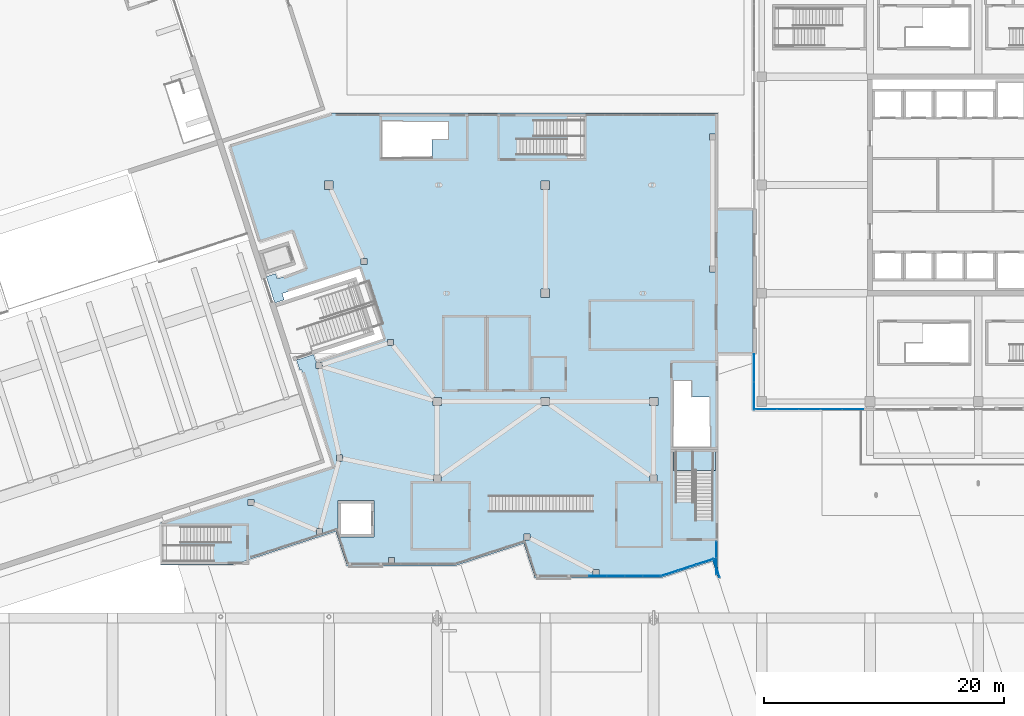
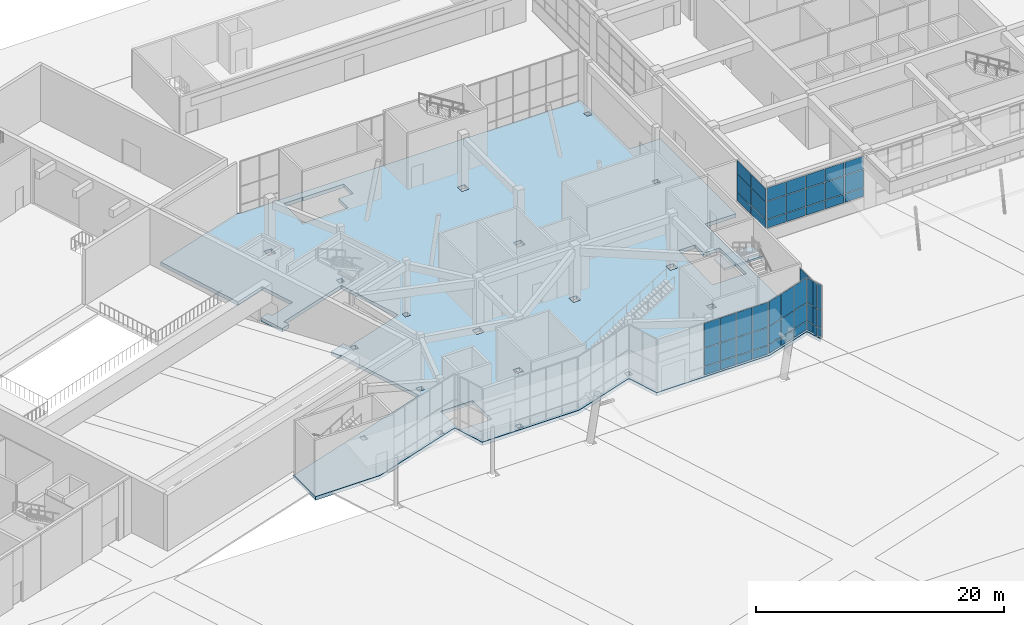
# One storey, part 45 of 72: 51 plates, 2 slabs, 7 elements without a shape of their own.
"""IFC4 building model written with IfcOpenShell, lengths in metres."""

from ifc_helpers import new_model, si_unit, direction, frame, origin, origin_2d, place, context, subcontext, project, spatial, polyline, rectangle, outline, extrude, material, layer, layer_set, type_object, element, aggregate, save


model = new_model("IFC4")

# Units and contexts
model_context = context("Model", 3, precision=1e-05, world=origin(), true_north=direction((0.0, 1.0)))
body_context = subcontext(model_context, "Body", "Model", "MODEL_VIEW")
ifc_project = project(units=[si_unit("LENGTHUNIT", "METRE"), si_unit("AREAUNIT", "SQUARE_METRE"), si_unit("VOLUMEUNIT", "CUBIC_METRE"), si_unit("PLANEANGLEUNIT", "RADIAN"), si_unit("MASSUNIT", "GRAM", prefix="KILO")], contexts=[model_context])

# Site, building, storey
site_placement = place(None, origin())
site = spatial("IfcSite", under=ifc_project, at=site_placement, CompositionType="ELEMENT")
building_placement = place(site_placement, origin())
building = spatial("IfcBuilding", under=site, at=building_placement, Name="Tuart Plaza Theatre", CompositionType="ELEMENT")
storey_placement = place(building_placement, origin())
storey = spatial("IfcBuildingStorey", under=building, at=storey_placement, Name="L00", CompositionType="ELEMENT", Elevation=0.0)

# Curtain wall, plates
ifc_material_1 = material(Name="Aluminium and glass", Category="aluminium")
ifc_layer_1 = layer(ifc_material_1, 0.10009765625)
ifc_layer_set_1 = layer_set([ifc_layer_1], Name="CURTAIN WALL 1500 module")
curtain_wall_type_1 = type_object("IfcCurtainWallType", Name="CURTAIN WALL 1500 module", PredefinedType="NOTDEFINED", material=ifc_layer_set_1)
curtain_wall_1_placement = place(storey_placement, origin())
curtain_wall_1 = element("IfcCurtainWall", 1, at=curtain_wall_1_placement, inside=storey, type_object=curtain_wall_type_1, Name="CW6", PredefinedType="NOTDEFINED")
ifc_material_2 = material(Name="Glass", Category="glass")
ifc_layer_2 = layer(ifc_material_2, 0.028076171875)
ifc_layer_set_2 = layer_set([ifc_layer_2], Name="CURTAIN PANEL double glazed 28")
plate_type = type_object("IfcPlateType", Name="CURTAIN PANEL double glazed 28", PredefinedType="CURTAIN_PANEL", material=ifc_layer_set_2)
plate_1_placement = place(storey_placement, frame((100.36279296875, 41.47900390625, 0.0498046875), z_axis=(0.0, 0.0, 1.0), x_axis=(1.0, 0.0, 0.0)))
plate_1 = element("IfcPlate", 2, at=plate_1_placement, type_object=plate_type, Name="CW6 panel 2.1", PredefinedType="CURTAIN_PANEL", context=body_context, shape_type="SweptSolid", body=[
    extrude(rectangle(XDim=1.4453125, YDim=0.028076171875, at=origin_2d()), origin(), (0.0, 0.0, 1.0), 0.824951171875),
])
plate_2_placement = place(storey_placement, frame((100.36279296875, 41.47900390625, 0.925048828125), z_axis=(0.0, 0.0, 1.0), x_axis=(1.0, 0.0, 0.0)))
plate_2 = element("IfcPlate", 3, at=plate_2_placement, type_object=plate_type, Name="CW6 panel 2.2", PredefinedType="CURTAIN_PANEL", context=body_context, shape_type="SweptSolid", body=[
    extrude(rectangle(XDim=1.4453125, YDim=0.028076171875, at=origin_2d()), origin(), (0.0, 0.0, 1.0), 1.75),
])
plate_3_placement = place(storey_placement, frame((100.36279296875, 41.47900390625, 2.72509765625), z_axis=(0.0, 0.0, 1.0), x_axis=(1.0, 0.0, 0.0)))
plate_3 = element("IfcPlate", 4, at=plate_3_placement, type_object=plate_type, Name="CW6 panel 2.3", PredefinedType="CURTAIN_PANEL", context=body_context, shape_type="SweptSolid", body=[
    extrude(rectangle(XDim=1.4453125, YDim=0.028076171875, at=origin_2d()), origin(), (0.0, 0.0, 1.0), 2.425048828125),
])
plate_4_placement = place(storey_placement, frame((101.858154296875, 41.47900390625, 0.0498046875), z_axis=(0.0, 0.0, 1.0), x_axis=(1.0, 0.0, 0.0)))
plate_4 = element("IfcPlate", 5, at=plate_4_placement, type_object=plate_type, Name="CW6 panel 3.1", PredefinedType="CURTAIN_PANEL", context=body_context, shape_type="SweptSolid", body=[
    extrude(rectangle(XDim=1.4453125, YDim=0.028076171875, at=origin_2d()), origin(), (0.0, 0.0, 1.0), 0.824951171875),
])
plate_5_placement = place(storey_placement, frame((101.858154296875, 41.47900390625, 0.925048828125), z_axis=(0.0, 0.0, 1.0), x_axis=(1.0, 0.0, 0.0)))
plate_5 = element("IfcPlate", 6, at=plate_5_placement, type_object=plate_type, Name="CW6 panel 3.2", PredefinedType="CURTAIN_PANEL", context=body_context, shape_type="SweptSolid", body=[
    extrude(rectangle(XDim=1.4453125, YDim=0.028076171875, at=origin_2d()), origin(), (0.0, 0.0, 1.0), 1.75),
])
plate_6_placement = place(storey_placement, frame((101.858154296875, 41.47900390625, 2.72509765625), z_axis=(0.0, 0.0, 1.0), x_axis=(1.0, 0.0, 0.0)))
plate_6 = element("IfcPlate", 7, at=plate_6_placement, type_object=plate_type, Name="CW6 panel 3.3", PredefinedType="CURTAIN_PANEL", context=body_context, shape_type="SweptSolid", body=[
    extrude(rectangle(XDim=1.4453125, YDim=0.028076171875, at=origin_2d()), origin(), (0.0, 0.0, 1.0), 2.425048828125),
])
plate_7_placement = place(storey_placement, frame((103.353271484375, 41.47900390625, 0.0498046875), z_axis=(0.0, 0.0, 1.0), x_axis=(1.0, 0.0, 0.0)))
plate_7 = element("IfcPlate", 8, at=plate_7_placement, type_object=plate_type, Name="CW6 panel 4.1", PredefinedType="CURTAIN_PANEL", context=body_context, shape_type="SweptSolid", body=[
    extrude(rectangle(XDim=1.4453125, YDim=0.028076171875, at=origin_2d()), origin(), (0.0, 0.0, 1.0), 0.824951171875),
])
plate_8_placement = place(storey_placement, frame((103.353271484375, 41.47900390625, 0.925048828125), z_axis=(0.0, 0.0, 1.0), x_axis=(1.0, 0.0, 0.0)))
plate_8 = element("IfcPlate", 9, at=plate_8_placement, type_object=plate_type, Name="CW6 panel 4.2", PredefinedType="CURTAIN_PANEL", context=body_context, shape_type="SweptSolid", body=[
    extrude(rectangle(XDim=1.4453125, YDim=0.028076171875, at=origin_2d()), origin(), (0.0, 0.0, 1.0), 1.75),
])
plate_9_placement = place(storey_placement, frame((103.353271484375, 41.47900390625, 2.72509765625), z_axis=(0.0, 0.0, 1.0), x_axis=(1.0, 0.0, 0.0)))
plate_9 = element("IfcPlate", 10, at=plate_9_placement, type_object=plate_type, Name="CW6 panel 4.3", PredefinedType="CURTAIN_PANEL", context=body_context, shape_type="SweptSolid", body=[
    extrude(rectangle(XDim=1.4453125, YDim=0.028076171875, at=origin_2d()), origin(), (0.0, 0.0, 1.0), 2.425048828125),
])
plate_10_placement = place(storey_placement, frame((104.836181640625, 41.47900390625, 0.0498046875), z_axis=(0.0, 0.0, 1.0), x_axis=(1.0, 0.0, 0.0)))
plate_10 = element("IfcPlate", 11, at=plate_10_placement, type_object=plate_type, Name="CW6 panel 5.1", PredefinedType="CURTAIN_PANEL", context=body_context, shape_type="SweptSolid", body=[
    extrude(rectangle(XDim=1.420166015625, YDim=0.028076171875, at=origin_2d()), origin(), (0.0, 0.0, 1.0), 0.824951171875),
])
plate_11_placement = place(storey_placement, frame((104.836181640625, 41.47900390625, 0.925048828125), z_axis=(0.0, 0.0, 1.0), x_axis=(1.0, 0.0, 0.0)))
plate_11 = element("IfcPlate", 12, at=plate_11_placement, type_object=plate_type, Name="CW6 panel 5.2", PredefinedType="CURTAIN_PANEL", context=body_context, shape_type="SweptSolid", body=[
    extrude(rectangle(XDim=1.420166015625, YDim=0.028076171875, at=origin_2d()), origin(), (0.0, 0.0, 1.0), 1.75),
])
plate_12_placement = place(storey_placement, frame((104.836181640625, 41.47900390625, 2.72509765625), z_axis=(0.0, 0.0, 1.0), x_axis=(1.0, 0.0, 0.0)))
plate_12 = element("IfcPlate", 13, at=plate_12_placement, type_object=plate_type, Name="CW6 panel 5.3", PredefinedType="CURTAIN_PANEL", context=body_context, shape_type="SweptSolid", body=[
    extrude(rectangle(XDim=1.420166015625, YDim=0.028076171875, at=origin_2d()), origin(), (0.0, 0.0, 1.0), 2.425048828125),
])
aggregate(curtain_wall_1, [plate_1, plate_2, plate_3, plate_4, plate_5, plate_6, plate_7, plate_8, plate_9, plate_10, plate_11, plate_12])

curtain_wall_2_placement = place(storey_placement, origin())
curtain_wall_2 = element("IfcCurtainWall", 14, at=curtain_wall_2_placement, inside=storey, type_object=curtain_wall_type_1, Name="CW7", PredefinedType="NOTDEFINED")
plate_13_placement = place(storey_placement, frame((106.341552734375, 41.720947265625, 0.0498046875), z_axis=(0.0, 0.0, 1.0), x_axis=(0.951099369235, 0.308885075459, 0.0)))
plate_13 = element("IfcPlate", 15, at=plate_13_placement, type_object=plate_type, Name="CW7 panel 1.1", PredefinedType="CURTAIN_PANEL", context=body_context, shape_type="SweptSolid", body=[
    extrude(rectangle(XDim=1.467041015625, YDim=0.028076171875, at=origin_2d()), origin(), (0.0, 0.0, 1.0), 0.824951171875),
])
plate_14_placement = place(storey_placement, frame((106.341552734375, 41.720947265625, 0.925048828125), z_axis=(0.0, 0.0, 1.0), x_axis=(0.951099369235, 0.308885075459, 0.0)))
plate_14 = element("IfcPlate", 16, at=plate_14_placement, type_object=plate_type, Name="CW7 panel 1.2", PredefinedType="CURTAIN_PANEL", context=body_context, shape_type="SweptSolid", body=[
    extrude(rectangle(XDim=1.467041015625, YDim=0.028076171875, at=origin_2d()), origin(), (0.0, 0.0, 1.0), 1.75),
])
plate_15_placement = place(storey_placement, frame((106.341552734375, 41.720947265625, 2.72509765625), z_axis=(0.0, 0.0, 1.0), x_axis=(0.951099369235, 0.308885075459, 0.0)))
plate_15 = element("IfcPlate", 17, at=plate_15_placement, type_object=plate_type, Name="CW7 panel 1.3", PredefinedType="CURTAIN_PANEL", context=body_context, shape_type="SweptSolid", body=[
    extrude(rectangle(XDim=1.467041015625, YDim=0.028076171875, at=origin_2d()), origin(), (0.0, 0.0, 1.0), 2.425048828125),
])
plate_16_placement = place(storey_placement, frame((107.79638671875, 42.193603515625, 0.0498046875), z_axis=(0.0, 0.0, 1.0), x_axis=(0.951099369235, 0.308885075459, 0.0)))
plate_16 = element("IfcPlate", 18, at=plate_16_placement, type_object=plate_type, Name="CW7 panel 2.1", PredefinedType="CURTAIN_PANEL", context=body_context, shape_type="SweptSolid", body=[
    extrude(rectangle(XDim=1.4921875, YDim=0.028076171875, at=origin_2d()), origin(), (0.0, 0.0, 1.0), 0.824951171875),
])
plate_17_placement = place(storey_placement, frame((107.79638671875, 42.193603515625, 0.925048828125), z_axis=(0.0, 0.0, 1.0), x_axis=(0.951099369235, 0.308885075459, 0.0)))
plate_17 = element("IfcPlate", 19, at=plate_17_placement, type_object=plate_type, Name="CW7 panel 2.2", PredefinedType="CURTAIN_PANEL", context=body_context, shape_type="SweptSolid", body=[
    extrude(rectangle(XDim=1.4921875, YDim=0.028076171875, at=origin_2d()), origin(), (0.0, 0.0, 1.0), 1.75),
])
plate_18_placement = place(storey_placement, frame((107.79638671875, 42.193603515625, 2.72509765625), z_axis=(0.0, 0.0, 1.0), x_axis=(0.951099369235, 0.308885075459, 0.0)))
plate_18 = element("IfcPlate", 20, at=plate_18_placement, type_object=plate_type, Name="CW7 panel 2.3", PredefinedType="CURTAIN_PANEL", context=body_context, shape_type="SweptSolid", body=[
    extrude(rectangle(XDim=1.4921875, YDim=0.028076171875, at=origin_2d()), origin(), (0.0, 0.0, 1.0), 2.425048828125),
])
plate_19_placement = place(storey_placement, frame((109.251220703125, 42.666015625, 0.0498046875), z_axis=(0.0, 0.0, 1.0), x_axis=(0.951099369235, 0.308885075459, 0.0)))
plate_19 = element("IfcPlate", 21, at=plate_19_placement, type_object=plate_type, Name="CW7 panel 3.1", PredefinedType="CURTAIN_PANEL", context=body_context, shape_type="SweptSolid", body=[
    extrude(rectangle(XDim=1.467041015625, YDim=0.028076171875, at=origin_2d()), origin(), (0.0, 0.0, 1.0), 0.824951171875),
])
plate_20_placement = place(storey_placement, frame((109.251220703125, 42.666015625, 0.925048828125), z_axis=(0.0, 0.0, 1.0), x_axis=(0.951099369235, 0.308885075459, 0.0)))
plate_20 = element("IfcPlate", 22, at=plate_20_placement, type_object=plate_type, Name="CW7 panel 3.2", PredefinedType="CURTAIN_PANEL", context=body_context, shape_type="SweptSolid", body=[
    extrude(rectangle(XDim=1.467041015625, YDim=0.028076171875, at=origin_2d()), origin(), (0.0, 0.0, 1.0), 1.75),
])
plate_21_placement = place(storey_placement, frame((109.251220703125, 42.666015625, 2.72509765625), z_axis=(0.0, 0.0, 1.0), x_axis=(0.951099369235, 0.308885075459, 0.0)))
plate_21 = element("IfcPlate", 23, at=plate_21_placement, type_object=plate_type, Name="CW7 panel 3.3", PredefinedType="CURTAIN_PANEL", context=body_context, shape_type="SweptSolid", body=[
    extrude(rectangle(XDim=1.467041015625, YDim=0.028076171875, at=origin_2d()), origin(), (0.0, 0.0, 1.0), 2.425048828125),
])
aggregate(curtain_wall_2, [plate_13, plate_14, plate_15, plate_16, plate_17, plate_18, plate_19, plate_20, plate_21])

curtain_wall_3_placement = place(storey_placement, origin())
curtain_wall_3 = element("IfcCurtainWall", 24, at=curtain_wall_3_placement, inside=storey, type_object=curtain_wall_type_1, Name="CW8", PredefinedType="NOTDEFINED")
plate_22_placement = place(storey_placement, frame((110.2509765625, 42.123779296875, 0.0498046875), z_axis=(0.0, 0.0, 1.0), x_axis=(0.30881459025, -0.951122257572, 0.0)))
plate_22 = element("IfcPlate", 25, at=plate_22_placement, type_object=plate_type, Name="CW8 panel 1.1", PredefinedType="CURTAIN_PANEL", context=body_context, shape_type="SweptSolid", body=[
    extrude(rectangle(XDim=1.54931640625, YDim=0.028076171875, at=origin_2d()), origin(), (0.0, 0.0, 1.0), 0.824951171875),
])
plate_23_placement = place(storey_placement, frame((110.2509765625, 42.123779296875, 0.925048828125), z_axis=(0.0, 0.0, 1.0), x_axis=(0.30881459025, -0.951122257572, 0.0)))
plate_23 = element("IfcPlate", 26, at=plate_23_placement, type_object=plate_type, Name="CW8 panel 1.2", PredefinedType="CURTAIN_PANEL", context=body_context, shape_type="SweptSolid", body=[
    extrude(rectangle(XDim=1.54931640625, YDim=0.028076171875, at=origin_2d()), origin(), (0.0, 0.0, 1.0), 1.75),
])
plate_24_placement = place(storey_placement, frame((110.2509765625, 42.123779296875, 2.72509765625), z_axis=(0.0, 0.0, 1.0), x_axis=(0.30881459025, -0.951122257572, 0.0)))
plate_24 = element("IfcPlate", 27, at=plate_24_placement, type_object=plate_type, Name="CW8 panel 1.3", PredefinedType="CURTAIN_PANEL", context=body_context, shape_type="SweptSolid", body=[
    extrude(rectangle(XDim=1.54931640625, YDim=0.028076171875, at=origin_2d()), origin(), (0.0, 0.0, 1.0), 2.425048828125),
])
aggregate(curtain_wall_3, [plate_22, plate_23, plate_24])

curtain_wall_4_placement = place(storey_placement, origin())
curtain_wall_4 = element("IfcCurtainWall", 28, at=curtain_wall_4_placement, inside=storey, type_object=curtain_wall_type_1, Name="CW9", PredefinedType="NOTDEFINED")
plate_25_placement = place(storey_placement, frame((110.212890625, 42.30712890625, 0.0498046875), z_axis=(0.0, 0.0, 1.0), x_axis=(0.0, 1.0, 0.0)))
plate_25 = element("IfcPlate", 29, at=plate_25_placement, type_object=plate_type, Name="CW9 panel 1.1", PredefinedType="CURTAIN_PANEL", context=body_context, shape_type="SweptSolid", body=[
    extrude(rectangle(XDim=1.32861328125, YDim=0.028076171875, at=origin_2d()), origin(), (0.0, 0.0, 1.0), 0.824951171875),
])
plate_26_placement = place(storey_placement, frame((110.212890625, 42.30712890625, 0.925048828125), z_axis=(0.0, 0.0, 1.0), x_axis=(0.0, 1.0, 0.0)))
plate_26 = element("IfcPlate", 30, at=plate_26_placement, type_object=plate_type, Name="CW9 panel 1.2", PredefinedType="CURTAIN_PANEL", context=body_context, shape_type="SweptSolid", body=[
    extrude(rectangle(XDim=1.32861328125, YDim=0.028076171875, at=origin_2d()), origin(), (0.0, 0.0, 1.0), 1.75),
])
plate_27_placement = place(storey_placement, frame((110.212890625, 42.30712890625, 2.72509765625), z_axis=(0.0, 0.0, 1.0), x_axis=(0.0, 1.0, 0.0)))
plate_27 = element("IfcPlate", 31, at=plate_27_placement, type_object=plate_type, Name="CW9 panel 1.3", PredefinedType="CURTAIN_PANEL", context=body_context, shape_type="SweptSolid", body=[
    extrude(rectangle(XDim=1.32861328125, YDim=0.028076171875, at=origin_2d()), origin(), (0.0, 0.0, 1.0), 2.425048828125),
])
plate_28_placement = place(storey_placement, frame((110.212890625, 43.685791015625, 0.0498046875), z_axis=(0.0, 0.0, 1.0), x_axis=(0.0, 1.0, 0.0)))
plate_28 = element("IfcPlate", 32, at=plate_28_placement, type_object=plate_type, Name="CW9 panel 2.1", PredefinedType="CURTAIN_PANEL", context=body_context, shape_type="SweptSolid", body=[
    extrude(rectangle(XDim=1.32861328125, YDim=0.028076171875, at=origin_2d()), origin(), (0.0, 0.0, 1.0), 0.824951171875),
])
plate_29_placement = place(storey_placement, frame((110.212890625, 43.685791015625, 0.925048828125), z_axis=(0.0, 0.0, 1.0), x_axis=(0.0, 1.0, 0.0)))
plate_29 = element("IfcPlate", 33, at=plate_29_placement, type_object=plate_type, Name="CW9 panel 2.2", PredefinedType="CURTAIN_PANEL", context=body_context, shape_type="SweptSolid", body=[
    extrude(rectangle(XDim=1.32861328125, YDim=0.028076171875, at=origin_2d()), origin(), (0.0, 0.0, 1.0), 1.75),
])
plate_30_placement = place(storey_placement, frame((110.212890625, 43.685791015625, 2.72509765625), z_axis=(0.0, 0.0, 1.0), x_axis=(0.0, 1.0, 0.0)))
plate_30 = element("IfcPlate", 34, at=plate_30_placement, type_object=plate_type, Name="CW9 panel 2.3", PredefinedType="CURTAIN_PANEL", context=body_context, shape_type="SweptSolid", body=[
    extrude(rectangle(XDim=1.32861328125, YDim=0.028076171875, at=origin_2d()), origin(), (0.0, 0.0, 1.0), 2.425048828125),
])
aggregate(curtain_wall_4, [plate_25, plate_26, plate_27, plate_28, plate_29, plate_30])

ifc_material_3 = material(Name="Aluminium and glass", Category="aluminium")
ifc_layer_3 = layer(ifc_material_3, 0.10009765625)
ifc_layer_set_3 = layer_set([ifc_layer_3], Name="CURTAIN WALL 2000 module")
curtain_wall_type_2 = type_object("IfcCurtainWallType", Name="CURTAIN WALL 2000 module", PredefinedType="NOTDEFINED", material=ifc_layer_set_3)
curtain_wall_5_placement = place(storey_placement, origin())
curtain_wall_5 = element("IfcCurtainWall", 35, at=curtain_wall_5_placement, inside=storey, type_object=curtain_wall_type_2, Name="CW59", PredefinedType="NOTDEFINED")
plate_31_placement = place(storey_placement, frame((113.35009765625, 58.800048828125, 1.25), z_axis=(0.0, 0.0, 1.0), x_axis=(0.0, -1.0, 0.0)))
plate_31 = element("IfcPlate", 36, at=plate_31_placement, type_object=plate_type, Name="CW59 panel 1.1", PredefinedType="CURTAIN_PANEL", context=body_context, shape_type="SweptSolid", body=[
    extrude(rectangle(XDim=2.300048828125, YDim=0.028076171875, at=origin_2d()), origin(), (0.0, 0.0, 1.0), 0.824951171875),
])
plate_32_placement = place(storey_placement, frame((113.35009765625, 58.800048828125, 2.125), z_axis=(0.0, 0.0, 1.0), x_axis=(0.0, -1.0, 0.0)))
plate_32 = element("IfcPlate", 37, at=plate_32_placement, type_object=plate_type, Name="CW59 panel 1.2", PredefinedType="CURTAIN_PANEL", context=body_context, shape_type="SweptSolid", body=[
    extrude(rectangle(XDim=2.300048828125, YDim=0.028076171875, at=origin_2d()), origin(), (0.0, 0.0, 1.0), 1.75),
])
plate_33_placement = place(storey_placement, frame((113.35009765625, 58.800048828125, 3.925048828125), z_axis=(0.0, 0.0, 1.0), x_axis=(0.0, -1.0, 0.0)))
plate_33 = element("IfcPlate", 38, at=plate_33_placement, type_object=plate_type, Name="CW59 panel 1.3", PredefinedType="CURTAIN_PANEL", context=body_context, shape_type="SweptSolid", body=[
    extrude(rectangle(XDim=2.300048828125, YDim=0.028076171875, at=origin_2d()), origin(), (0.0, 0.0, 1.0), 1.27490234375),
])
plate_34_placement = place(storey_placement, frame((113.35009765625, 56.449951171875, 1.25), z_axis=(0.0, 0.0, 1.0), x_axis=(0.0, -1.0, 0.0)))
plate_34 = element("IfcPlate", 39, at=plate_34_placement, type_object=plate_type, Name="CW59 panel 2.1", PredefinedType="CURTAIN_PANEL", context=body_context, shape_type="SweptSolid", body=[
    extrude(rectangle(XDim=2.300048828125, YDim=0.028076171875, at=origin_2d()), origin(), (0.0, 0.0, 1.0), 0.824951171875),
])
plate_35_placement = place(storey_placement, frame((113.35009765625, 56.449951171875, 2.125), z_axis=(0.0, 0.0, 1.0), x_axis=(0.0, -1.0, 0.0)))
plate_35 = element("IfcPlate", 40, at=plate_35_placement, type_object=plate_type, Name="CW59 panel 2.2", PredefinedType="CURTAIN_PANEL", context=body_context, shape_type="SweptSolid", body=[
    extrude(rectangle(XDim=2.300048828125, YDim=0.028076171875, at=origin_2d()), origin(), (0.0, 0.0, 1.0), 1.75),
])
plate_36_placement = place(storey_placement, frame((113.35009765625, 56.449951171875, 3.925048828125), z_axis=(0.0, 0.0, 1.0), x_axis=(0.0, -1.0, 0.0)))
plate_36 = element("IfcPlate", 41, at=plate_36_placement, type_object=plate_type, Name="CW59 panel 2.3", PredefinedType="CURTAIN_PANEL", context=body_context, shape_type="SweptSolid", body=[
    extrude(rectangle(XDim=2.300048828125, YDim=0.028076171875, at=origin_2d()), origin(), (0.0, 0.0, 1.0), 1.27490234375),
])
aggregate(curtain_wall_5, [plate_31, plate_32, plate_33, plate_34, plate_35, plate_36])

ifc_material_4 = material(Name="Aluminium and glass", Category="aluminium")
ifc_layer_4 = layer(ifc_material_4, 0.10009765625)
ifc_layer_set_4 = layer_set([ifc_layer_4], Name="CURTAIN WALL 1800 module")
curtain_wall_type_3 = type_object("IfcCurtainWallType", Name="CURTAIN WALL 1800 module", PredefinedType="NOTDEFINED", material=ifc_layer_set_4)
curtain_wall_6_placement = place(storey_placement, origin())
curtain_wall_6 = element("IfcCurtainWall", 42, at=curtain_wall_6_placement, inside=storey, type_object=curtain_wall_type_3, Name="CW60", PredefinedType="NOTDEFINED")
plate_37_placement = place(storey_placement, frame((114.367431640625, 55.35009765625, 1.25), z_axis=(0.0, 0.0, 1.0), x_axis=(1.0, 0.0, 0.0)))
plate_37 = element("IfcPlate", 43, at=plate_37_placement, type_object=plate_type, Name="CW60 panel 1.1", PredefinedType="CURTAIN_PANEL", context=body_context, shape_type="SweptSolid", body=[
    extrude(rectangle(XDim=1.735107421875, YDim=0.028076171875, at=origin_2d()), origin(), (0.0, 0.0, 1.0), 0.824951171875),
])
plate_38_placement = place(storey_placement, frame((114.367431640625, 55.35009765625, 2.125), z_axis=(0.0, 0.0, 1.0), x_axis=(1.0, 0.0, 0.0)))
plate_38 = element("IfcPlate", 44, at=plate_38_placement, type_object=plate_type, Name="CW60 panel 1.2", PredefinedType="CURTAIN_PANEL", context=body_context, shape_type="SweptSolid", body=[
    extrude(rectangle(XDim=1.735107421875, YDim=0.028076171875, at=origin_2d()), origin(), (0.0, 0.0, 1.0), 1.75),
])
plate_39_placement = place(storey_placement, frame((114.367431640625, 55.35009765625, 3.925048828125), z_axis=(0.0, 0.0, 1.0), x_axis=(1.0, 0.0, 0.0)))
plate_39 = element("IfcPlate", 45, at=plate_39_placement, type_object=plate_type, Name="CW60 panel 1.3", PredefinedType="CURTAIN_PANEL", context=body_context, shape_type="SweptSolid", body=[
    extrude(rectangle(XDim=1.735107421875, YDim=0.028076171875, at=origin_2d()), origin(), (0.0, 0.0, 1.0), 1.27490234375),
])
plate_40_placement = place(storey_placement, frame((116.1650390625, 55.35009765625, 1.25), z_axis=(0.0, 0.0, 1.0), x_axis=(1.0, 0.0, 0.0)))
plate_40 = element("IfcPlate", 46, at=plate_40_placement, type_object=plate_type, Name="CW60 panel 2.1", PredefinedType="CURTAIN_PANEL", context=body_context, shape_type="SweptSolid", body=[
    extrude(rectangle(XDim=1.760009765625, YDim=0.028076171875, at=origin_2d()), origin(), (0.0, 0.0, 1.0), 0.824951171875),
])
plate_41_placement = place(storey_placement, frame((116.1650390625, 55.35009765625, 2.125), z_axis=(0.0, 0.0, 1.0), x_axis=(1.0, 0.0, 0.0)))
plate_41 = element("IfcPlate", 47, at=plate_41_placement, type_object=plate_type, Name="CW60 panel 2.2", PredefinedType="CURTAIN_PANEL", context=body_context, shape_type="SweptSolid", body=[
    extrude(rectangle(XDim=1.760009765625, YDim=0.028076171875, at=origin_2d()), origin(), (0.0, 0.0, 1.0), 1.75),
])
plate_42_placement = place(storey_placement, frame((116.1650390625, 55.35009765625, 3.925048828125), z_axis=(0.0, 0.0, 1.0), x_axis=(1.0, 0.0, 0.0)))
plate_42 = element("IfcPlate", 48, at=plate_42_placement, type_object=plate_type, Name="CW60 panel 2.3", PredefinedType="CURTAIN_PANEL", context=body_context, shape_type="SweptSolid", body=[
    extrude(rectangle(XDim=1.760009765625, YDim=0.028076171875, at=origin_2d()), origin(), (0.0, 0.0, 1.0), 1.27490234375),
])
plate_43_placement = place(storey_placement, frame((117.97509765625, 55.35009765625, 1.25), z_axis=(0.0, 0.0, 1.0), x_axis=(1.0, 0.0, 0.0)))
plate_43 = element("IfcPlate", 49, at=plate_43_placement, type_object=plate_type, Name="CW60 panel 3.1", PredefinedType="CURTAIN_PANEL", context=body_context, shape_type="SweptSolid", body=[
    extrude(rectangle(XDim=1.760009765625, YDim=0.028076171875, at=origin_2d()), origin(), (0.0, 0.0, 1.0), 0.824951171875),
])
plate_44_placement = place(storey_placement, frame((117.97509765625, 55.35009765625, 2.125), z_axis=(0.0, 0.0, 1.0), x_axis=(1.0, 0.0, 0.0)))
plate_44 = element("IfcPlate", 50, at=plate_44_placement, type_object=plate_type, Name="CW60 panel 3.2", PredefinedType="CURTAIN_PANEL", context=body_context, shape_type="SweptSolid", body=[
    extrude(rectangle(XDim=1.760009765625, YDim=0.028076171875, at=origin_2d()), origin(), (0.0, 0.0, 1.0), 1.75),
])
plate_45_placement = place(storey_placement, frame((117.97509765625, 55.35009765625, 3.925048828125), z_axis=(0.0, 0.0, 1.0), x_axis=(1.0, 0.0, 0.0)))
plate_45 = element("IfcPlate", 51, at=plate_45_placement, type_object=plate_type, Name="CW60 panel 3.3", PredefinedType="CURTAIN_PANEL", context=body_context, shape_type="SweptSolid", body=[
    extrude(rectangle(XDim=1.760009765625, YDim=0.028076171875, at=origin_2d()), origin(), (0.0, 0.0, 1.0), 1.27490234375),
])
plate_46_placement = place(storey_placement, frame((119.784912109375, 55.35009765625, 1.25), z_axis=(0.0, 0.0, 1.0), x_axis=(1.0, 0.0, 0.0)))
plate_46 = element("IfcPlate", 52, at=plate_46_placement, type_object=plate_type, Name="CW60 panel 4.1", PredefinedType="CURTAIN_PANEL", context=body_context, shape_type="SweptSolid", body=[
    extrude(rectangle(XDim=1.760009765625, YDim=0.028076171875, at=origin_2d()), origin(), (0.0, 0.0, 1.0), 0.824951171875),
])
plate_47_placement = place(storey_placement, frame((119.784912109375, 55.35009765625, 2.125), z_axis=(0.0, 0.0, 1.0), x_axis=(1.0, 0.0, 0.0)))
plate_47 = element("IfcPlate", 53, at=plate_47_placement, type_object=plate_type, Name="CW60 panel 4.2", PredefinedType="CURTAIN_PANEL", context=body_context, shape_type="SweptSolid", body=[
    extrude(rectangle(XDim=1.760009765625, YDim=0.028076171875, at=origin_2d()), origin(), (0.0, 0.0, 1.0), 1.75),
])
plate_48_placement = place(storey_placement, frame((119.784912109375, 55.35009765625, 3.925048828125), z_axis=(0.0, 0.0, 1.0), x_axis=(1.0, 0.0, 0.0)))
plate_48 = element("IfcPlate", 54, at=plate_48_placement, type_object=plate_type, Name="CW60 panel 4.3", PredefinedType="CURTAIN_PANEL", context=body_context, shape_type="SweptSolid", body=[
    extrude(rectangle(XDim=1.760009765625, YDim=0.028076171875, at=origin_2d()), origin(), (0.0, 0.0, 1.0), 1.27490234375),
])
plate_49_placement = place(storey_placement, frame((121.58251953125, 55.35009765625, 1.25), z_axis=(0.0, 0.0, 1.0), x_axis=(1.0, 0.0, 0.0)))
plate_49 = element("IfcPlate", 55, at=plate_49_placement, type_object=plate_type, Name="CW60 panel 5.1", PredefinedType="CURTAIN_PANEL", context=body_context, shape_type="SweptSolid", body=[
    extrude(rectangle(XDim=1.735107421875, YDim=0.028076171875, at=origin_2d()), origin(), (0.0, 0.0, 1.0), 0.824951171875),
])
plate_50_placement = place(storey_placement, frame((121.58251953125, 55.35009765625, 2.125), z_axis=(0.0, 0.0, 1.0), x_axis=(1.0, 0.0, 0.0)))
plate_50 = element("IfcPlate", 56, at=plate_50_placement, type_object=plate_type, Name="CW60 panel 5.2", PredefinedType="CURTAIN_PANEL", context=body_context, shape_type="SweptSolid", body=[
    extrude(rectangle(XDim=1.735107421875, YDim=0.028076171875, at=origin_2d()), origin(), (0.0, 0.0, 1.0), 1.75),
])
plate_51_placement = place(storey_placement, frame((121.58251953125, 55.35009765625, 3.925048828125), z_axis=(0.0, 0.0, 1.0), x_axis=(1.0, 0.0, 0.0)))
plate_51 = element("IfcPlate", 57, at=plate_51_placement, type_object=plate_type, Name="CW60 panel 5.3", PredefinedType="CURTAIN_PANEL", context=body_context, shape_type="SweptSolid", body=[
    extrude(rectangle(XDim=1.735107421875, YDim=0.028076171875, at=origin_2d()), origin(), (0.0, 0.0, 1.0), 1.27490234375),
])
aggregate(curtain_wall_6, [plate_37, plate_38, plate_39, plate_40, plate_41, plate_42, plate_43, plate_44, plate_45, plate_46, plate_47, plate_48, plate_49, plate_50, plate_51])

# Slab
ifc_material_5 = material(Name="Concrete N40 (40 MPa)", Category="concrete")
ifc_layer_5 = layer(ifc_material_5, 0.35009765625)
ifc_layer_set_5 = layer_set([ifc_layer_5], Name="SLAB Floor 350 Concrete N40 (40 MPa)")
slab_type_1 = type_object("IfcSlabType", Name="SLAB Floor 350 Concrete N40 (40 MPa)", PredefinedType="FLOOR", material=ifc_layer_set_5)
slab_1_placement = place(storey_placement, frame((0.0, 0.0, -0.35009765625)))
element("IfcSlab", 58, at=slab_1_placement, inside=storey, type_object=slab_type_1, Name="S70", PredefinedType="FLOOR", context=body_context, shape_type="SweptSolid", body=[
    extrude(outline(polyline([(75.5673828125, 58.614013671875), (75.7099609375, 58.66015625), (78.336669921875, 50.576416015625), (64.0, 45.91796875), (64.0, 42.39990234375), (70.0, 42.39990234375), (78.5595703125, 45.18115234375), (79.486572265625, 42.327880859375), (88.486572265625, 42.327880859375), (94.19287109375, 44.18212890625), (95.119873046875, 41.328857421875), (105.619873046875, 41.328857421875), (109.899658203125, 42.719482421875), (110.36328125, 41.29296875), (110.363037109375, 59.89990234375), (113.22998046875, 59.89990234375), (113.22998046875, 72.10009765625), (110.363037109375, 72.10009765625), (110.363037109375, 79.987060546875), (78.24365234375, 79.987060546875), (69.68408203125, 77.205810546875), (72.27978515625, 69.217041015625), (75.0380859375, 70.113037109375), (76.057861328125, 66.974609375), (73.703857421875, 66.209716796875), (73.564697265625, 66.6376953125), (72.784912109375, 66.384521484375), (73.49560546875, 64.197021484375), (74.275634765625, 64.450439453125), (74.105712890625, 64.973388671875), (80.64404296875, 67.097900390625), (82.56005859375, 61.201416015625), (76.9013671875, 59.36279296875), (76.721923828125, 59.914306640625), (75.29541015625, 59.45068359375), (75.5673828125, 58.614013671875)]), holes=[polyline([(77.449951171875, 44.949951171875), (77.449951171875, 45.449951171875), (76.949951171875, 45.449951171875), (76.949951171875, 44.949951171875), (77.449951171875, 44.949951171875)]), polyline([(78.75, 44.75), (81.75, 44.75), (81.75, 47.75), (78.75, 47.75), (78.75, 44.75)]), polyline([(76.931640625, 59.2353515625), (76.931640625, 58.7353515625), (77.431640625, 58.7353515625), (77.431640625, 59.2353515625), (76.931640625, 59.2353515625)]), polyline([(109.659912109375, 78.25), (109.659912109375, 77.75), (110.159912109375, 77.75), (110.159912109375, 78.25), (109.659912109375, 78.25)]), polyline([(109.659912109375, 66.75), (110.159912109375, 66.75), (110.159912109375, 67.25), (109.659912109375, 67.25), (109.659912109375, 66.75)]), polyline([(106.60009765625, 53.949951171875), (106.60009765625, 52.199951171875), (109.75, 52.199951171875), (109.75, 53.949951171875), (109.699951171875, 53.949951171875), (109.699951171875, 56.3798828125), (108.175048828125, 56.3798828125), (108.175048828125, 57.739990234375), (106.64990234375, 57.739990234375), (106.64990234375, 53.949951171875), (106.60009765625, 53.949951171875)]), polyline([(104.64990234375, 56.35009765625), (104.64990234375, 55.64990234375), (105.35009765625, 55.64990234375), (105.35009765625, 56.35009765625), (104.64990234375, 56.35009765625)]), polyline([(104.699951171875, 49.300048828125), (105.300048828125, 49.300048828125), (105.300048828125, 49.89990234375), (104.699951171875, 49.89990234375), (104.699951171875, 49.300048828125)]), polyline([(99.949951171875, 41.530029296875), (100.449951171875, 41.530029296875), (100.449951171875, 42.030029296875), (99.949951171875, 42.030029296875), (99.949951171875, 41.530029296875)]), polyline([(95.64990234375, 55.64990234375), (96.35009765625, 55.64990234375), (96.35009765625, 56.35009765625), (95.64990234375, 56.35009765625), (95.64990234375, 55.64990234375)]), polyline([(95.64990234375, 65.35009765625), (95.64990234375, 64.64990234375), (96.35009765625, 64.64990234375), (96.35009765625, 65.35009765625), (95.64990234375, 65.35009765625)]), polyline([(95.64990234375, 74.35009765625), (95.64990234375, 73.64990234375), (96.35009765625, 73.64990234375), (96.35009765625, 74.35009765625), (95.64990234375, 74.35009765625)]), polyline([(94.22998046875, 44.5), (94.72998046875, 44.5), (94.72998046875, 45.0), (94.22998046875, 45.0), (94.22998046875, 44.5)]), polyline([(84.14990234375, 76.199951171875), (84.14990234375, 76.25), (86.580078125, 76.25), (86.580078125, 77.77490234375), (87.93994140625, 77.77490234375), (87.93994140625, 79.300048828125), (84.14990234375, 79.300048828125), (84.14990234375, 79.35009765625), (82.39990234375, 79.35009765625), (82.39990234375, 76.199951171875), (84.14990234375, 76.199951171875)]), polyline([(86.64990234375, 56.35009765625), (86.64990234375, 55.64990234375), (87.35009765625, 55.64990234375), (87.35009765625, 56.35009765625), (86.64990234375, 56.35009765625)]), polyline([(86.699951171875, 49.89990234375), (86.699951171875, 49.300048828125), (87.300048828125, 49.300048828125), (87.300048828125, 49.89990234375), (86.699951171875, 49.89990234375)]), polyline([(82.949951171875, 42.530029296875), (83.449951171875, 42.530029296875), (83.449951171875, 43.030029296875), (82.949951171875, 43.030029296875), (82.949951171875, 42.530029296875)]), polyline([(82.8798828125, 61.159912109375), (82.8798828125, 60.659912109375), (83.3798828125, 60.659912109375), (83.3798828125, 61.159912109375), (82.8798828125, 61.159912109375)]), polyline([(80.679931640625, 67.409912109375), (81.179931640625, 67.409912109375), (81.179931640625, 67.909912109375), (80.679931640625, 67.909912109375), (80.679931640625, 67.409912109375)]), polyline([(78.64990234375, 51.050048828125), (79.14990234375, 51.050048828125), (79.14990234375, 51.550048828125), (78.64990234375, 51.550048828125), (78.64990234375, 51.050048828125)]), polyline([(77.64990234375, 74.35009765625), (77.64990234375, 73.64990234375), (78.35009765625, 73.64990234375), (78.35009765625, 74.35009765625), (77.64990234375, 74.35009765625)]), polyline([(71.25, 47.85009765625), (71.25, 47.35009765625), (71.75, 47.35009765625), (71.75, 47.85009765625), (71.25, 47.85009765625)])]), origin(), (0.0, 0.0, 1.0), 0.35009765625),
])

# Stair, slab
ifc_material_6 = material(Name="Concrete N40 (40 MPa)", Category="concrete")
stair_type = type_object("IfcStairType", Name="STAIR half turn 1500", PredefinedType="HALF_TURN_STAIR", material=ifc_material_6)
stair_placement = place(storey_placement, origin())
stair = element("IfcStair", 59, at=stair_placement, inside=storey, type_object=stair_type, Name="SB-7", PredefinedType="HALF_TURN_STAIR")
ifc_material_7 = material(Name="Concrete N40 (40 MPa)", Category="concrete")
ifc_layer_6 = layer(ifc_material_7, 0.199951171875)
ifc_layer_set_6 = layer_set([ifc_layer_6], Name="STAIR LANDING 200")
slab_type_2 = type_object("IfcSlabType", Name="STAIR LANDING 200", PredefinedType="LANDING", material=ifc_layer_set_6)
slab_2_placement = place(storey_placement, frame((0.0, 0.0, 2.550048828125)))
slab_2 = element("IfcSlab", 60, at=slab_2_placement, type_object=slab_type_2, Name="SB-7 landing 1", PredefinedType="LANDING", context=body_context, shape_type="SweptSolid", body=[
    extrude(outline(polyline([(110.157958984375, 50.280029296875), (110.157958984375, 51.998046875), (106.60205078125, 51.998046875), (106.60205078125, 50.280029296875), (110.157958984375, 50.280029296875)])), origin(), (0.0, 0.0, 1.0), 0.199951171875),
])
aggregate(stair, [slab_2])

save(model, "model.ifc")
